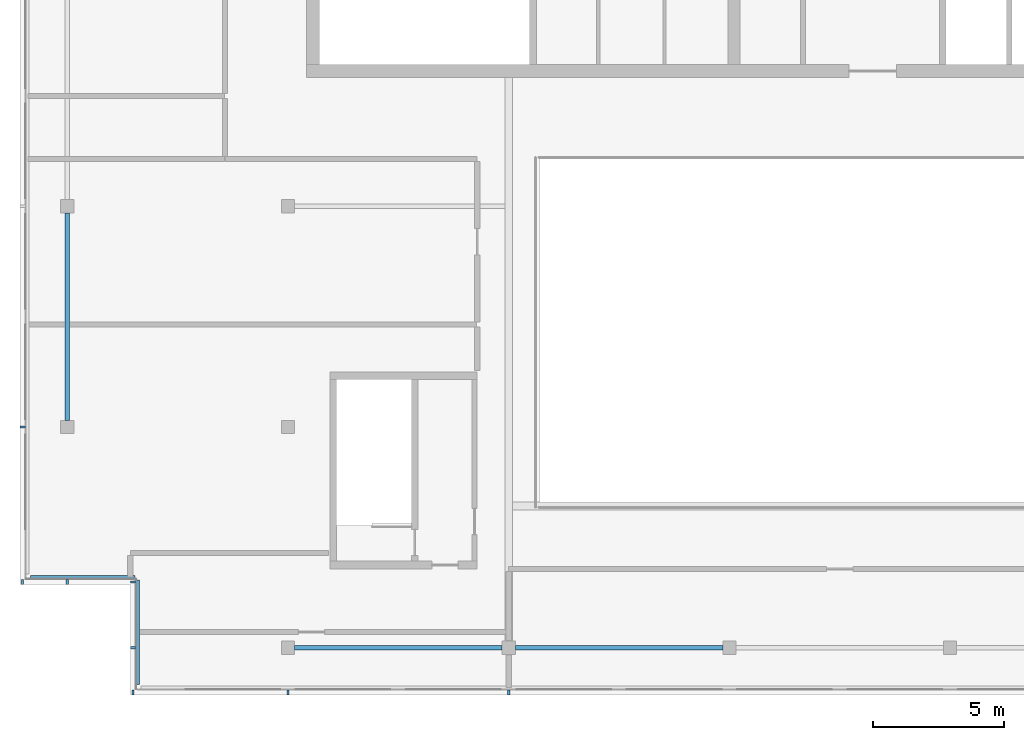
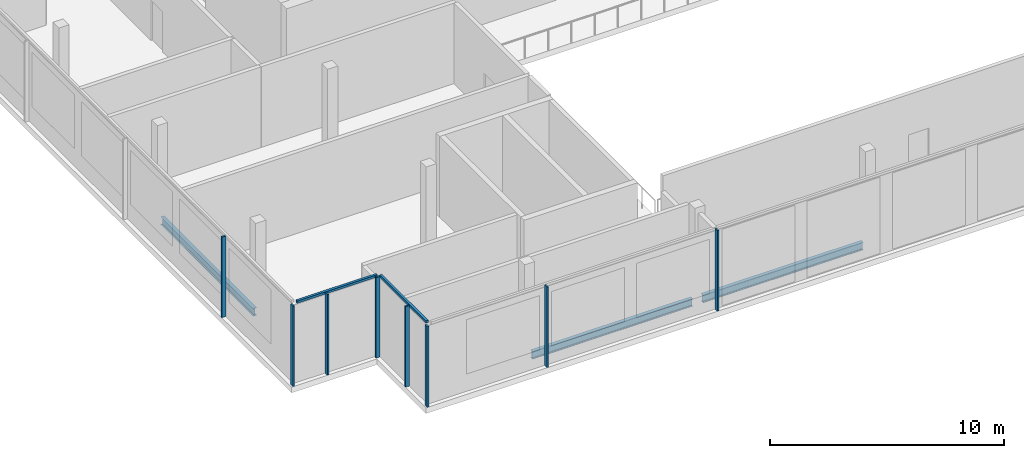
# One storey, part 2 of 14: 10 members, 3 beams, 4 elements without a shape of their own.
"""IFC4 building model written with IfcOpenShell, lengths in metres."""

from ifc_helpers import new_model, si_unit, direction, frame, origin, origin_2d, place, context, subcontext, project, spatial, rectangle, i_section, extrude, material, material_profile, profile_set, type_object, element, aggregate, save


model = new_model("IFC4")

# Units and contexts
model_context = context("Model", 3, precision=1e-05, world=origin(), true_north=direction((0.0, 1.0)))
body_context = subcontext(model_context, "Body", "Model", "MODEL_VIEW")
ifc_project = project(units=[si_unit("LENGTHUNIT", "METRE"), si_unit("AREAUNIT", "SQUARE_METRE"), si_unit("VOLUMEUNIT", "CUBIC_METRE"), si_unit("PLANEANGLEUNIT", "RADIAN"), si_unit("MASSUNIT", "GRAM", prefix="KILO")], contexts=[model_context])

# Site, building, storey
site_placement = place(None, origin())
site = spatial("IfcSite", under=ifc_project, at=site_placement, CompositionType="ELEMENT")
building_placement = place(site_placement, origin())
building = spatial("IfcBuilding", under=site, at=building_placement, Name="Saffron Gate Tower", CompositionType="ELEMENT")
storey_placement = place(building_placement, frame((0.0, 0.0, 310.35009765625)))
storey = spatial("IfcBuildingStorey", under=building, at=storey_placement, Name="L76", CompositionType="ELEMENT", Elevation=310.35009765625)

# Beams
ifc_material_1 = material(Name="Structural steel S355", Category="steel")
ifc_material_profile_1 = material_profile(ifc_material_1, i_section(OverallWidth=0.179931640625, OverallDepth=0.39990234375, WebThickness=0.008544921875, FlangeThickness=0.013427734375, FilletRadius=0.02099609375, at=origin_2d()))
ifc_profile_set_1 = profile_set([ifc_material_profile_1], Name="Structural steel S355")
beam_type = type_object("IfcBeamType", Name="B5 IPE 400", PredefinedType="SPANDREL", material=ifc_profile_set_1)
for number, where, z_axis, x_axis, name in (
    (1, (58.199951171875, 48.85009765625, -0.5), (0.0, 1.0, 0.0), (-1.0, 0.0, 0.0), "B5 SPANDREL BEAM"),
    (2, (66.85009765625, 40.199951171875, -0.5), (1.0, 0.0, 0.0), (0.0, 1.0, 0.0), "B5 SPANDREL BEAM"),
    (3, (75.25, 40.199951171875, -0.5), (1.0, 0.0, 0.0), (0.0, 1.0, 0.0), "B5 SPANDREL BEAM"),
):
    element("IfcBeam", number, at=place(storey_placement, frame(where, z_axis=z_axis, x_axis=x_axis)), inside=storey, type_object=beam_type, Name=name, PredefinedType="SPANDREL", context=body_context, shape_type="SweptSolid", body=[
        extrude(i_section(OverallWidth=0.179931640625, OverallDepth=0.39990234375, WebThickness=0.008544921875, FlangeThickness=0.013427734375, FilletRadius=0.02099609375, at=origin_2d()), origin(), (0.0, 0.0, 1.0), 7.89990234375),
    ])

# Curtain wall, member
ifc_material_2 = material(Name="Aluminium, bronze anodised", Category="aluminium")
curtain_wall_type = type_object("IfcCurtainWallType", Name="CWS6 curtain wall tall storeys", PredefinedType="NOTDEFINED", material=ifc_material_2)
curtain_wall_1_placement = place(storey_placement, origin())
curtain_wall_1 = element("IfcCurtainWall", 4, at=curtain_wall_1_placement, inside=storey, type_object=curtain_wall_type, Name="CWS6 run 11", PredefinedType="NOTDEFINED")
ifc_material_profile_2 = material_profile(ifc_material_2, rectangle(XDim=0.1201171875, YDim=0.1201171875, at=origin_2d()))
ifc_profile_set_2 = profile_set([ifc_material_profile_2], Name="Aluminium, bronze anodised")
member_type_1 = type_object("IfcMemberType", Name="CWS6 head transom", PredefinedType="USERDEFINED", material=ifc_profile_set_2)
member_1_placement = place(storey_placement, frame((56.80810546875, 42.887939453125, 4.139892578125), z_axis=(1.0, 0.0, 0.0), x_axis=(0.0, 1.0, 0.0)))
member_1 = element("IfcMember", 5, at=member_1_placement, type_object=member_type_1, Name="CWS6 head transom", ObjectType="TRANSOM", PredefinedType="USERDEFINED", context=body_context, shape_type="SweptSolid", body=[
    extrude(rectangle(XDim=0.1201171875, YDim=0.1201171875, at=origin_2d()), origin(), (0.0, 0.0, 1.0), 3.9599609375),
])

curtain_wall_2_placement = place(storey_placement, origin())
curtain_wall_2 = element("IfcCurtainWall", 6, at=curtain_wall_2_placement, inside=storey, type_object=curtain_wall_type, Name="CWS6 run 12", PredefinedType="NOTDEFINED")
member_2_placement = place(storey_placement, frame((60.887939453125, 42.76806640625, 4.139892578125), z_axis=(0.0, -1.0, 0.0), x_axis=(1.0, 0.0, 0.0)))
member_2 = element("IfcMember", 7, at=member_2_placement, type_object=member_type_1, Name="CWS6 head transom", ObjectType="TRANSOM", PredefinedType="USERDEFINED", context=body_context, shape_type="SweptSolid", body=[
    extrude(rectangle(XDim=0.1201171875, YDim=0.1201171875, at=origin_2d()), origin(), (0.0, 0.0, 1.0), 3.9599609375),
])

# Curtain wall, members
curtain_wall_3_placement = place(storey_placement, origin())
curtain_wall_3 = element("IfcCurtainWall", 8, at=curtain_wall_3_placement, inside=storey, type_object=curtain_wall_type, Name="CWS6 run 1", PredefinedType="NOTDEFINED")
ifc_material_profile_3 = material_profile(ifc_material_2, rectangle(XDim=0.199951171875, YDim=0.080078125, at=origin_2d()))
ifc_profile_set_3 = profile_set([ifc_material_profile_3], Name="Aluminium, bronze anodised")
member_type_2 = type_object("IfcMemberType", Name="CWS6 mullion 80x200", PredefinedType="MULLION", material=ifc_profile_set_3)
member_3_placement = place(storey_placement, frame((60.699951171875, 38.5, 0.0), z_axis=(0.0, 0.0, 1.0), x_axis=(0.0, 1.0, 0.0)))
member_3 = element("IfcMember", 9, at=member_3_placement, type_object=member_type_2, Name="CWS6 mullion 1", PredefinedType="MULLION", context=body_context, shape_type="SweptSolid", body=[
    extrude(rectangle(XDim=0.199951171875, YDim=0.080078125, at=origin_2d()), origin(), (0.0, 0.0, 1.0), 4.199951171875),
])
member_4_placement = place(storey_placement, frame((66.60009765625, 38.5, 0.0), z_axis=(0.0, 0.0, 1.0), x_axis=(0.0, 1.0, 0.0)))
member_4 = element("IfcMember", 10, at=member_4_placement, type_object=member_type_2, Name="CWS6 mullion 2", PredefinedType="MULLION", context=body_context, shape_type="SweptSolid", body=[
    extrude(rectangle(XDim=0.199951171875, YDim=0.080078125, at=origin_2d()), origin(), (0.0, 0.0, 1.0), 4.199951171875),
])
member_5_placement = place(storey_placement, frame((75.0, 38.5, 0.0), z_axis=(0.0, 0.0, 1.0), x_axis=(0.0, 1.0, 0.0)))
member_5 = element("IfcMember", 11, at=member_5_placement, type_object=member_type_2, Name="CWS6 mullion 3", PredefinedType="MULLION", context=body_context, shape_type="SweptSolid", body=[
    extrude(rectangle(XDim=0.199951171875, YDim=0.080078125, at=origin_2d()), origin(), (0.0, 0.0, 1.0), 4.199951171875),
])
aggregate(curtain_wall_3, [member_3, member_4, member_5])

# Curtain wall, member
curtain_wall_4_placement = place(storey_placement, origin())
curtain_wall_4 = element("IfcCurtainWall", 12, at=curtain_wall_4_placement, inside=storey, type_object=curtain_wall_type, Name="CWS6 run 10", PredefinedType="NOTDEFINED")
member_6_placement = place(storey_placement, frame((56.5, 48.60009765625, 0.0), z_axis=(0.0, 0.0, 1.0), x_axis=(1.0, 0.0, 0.0)))
member_6 = element("IfcMember", 13, at=member_6_placement, type_object=member_type_2, Name="CWS6 mullion 4", PredefinedType="MULLION", context=body_context, shape_type="SweptSolid", body=[
    extrude(rectangle(XDim=0.199951171875, YDim=0.080078125, at=origin_2d()), origin(), (0.0, 0.0, 1.0), 4.199951171875),
])
aggregate(curtain_wall_4, [member_6])

# Member
member_7_placement = place(storey_placement, frame((56.5, 42.699951171875, 0.0), z_axis=(0.0, 0.0, 1.0), x_axis=(0.0, 1.0, 0.0)))
member_7 = element("IfcMember", 14, at=member_7_placement, type_object=member_type_2, Name="CWS6 mullion 1", PredefinedType="MULLION", context=body_context, shape_type="SweptSolid", body=[
    extrude(rectangle(XDim=0.199951171875, YDim=0.080078125, at=origin_2d()), origin(), (0.0, 0.0, 1.0), 4.199951171875),
])

member_8_placement = place(storey_placement, frame((58.199951171875, 42.699951171875, 0.0), z_axis=(0.0, 0.0, 1.0), x_axis=(0.0, 1.0, 0.0)))
member_8 = element("IfcMember", 15, at=member_8_placement, type_object=member_type_2, Name="CWS6 mullion 2", PredefinedType="MULLION", context=body_context, shape_type="SweptSolid", body=[
    extrude(rectangle(XDim=0.199951171875, YDim=0.080078125, at=origin_2d()), origin(), (0.0, 0.0, 1.0), 4.199951171875),
])

aggregate(curtain_wall_1, [member_7, member_8, member_1])

member_9_placement = place(storey_placement, frame((60.699951171875, 42.699951171875, 0.0), z_axis=(0.0, 0.0, 1.0), x_axis=(1.0, 0.0, 0.0)))
member_9 = element("IfcMember", 16, at=member_9_placement, type_object=member_type_2, Name="CWS6 mullion 1", PredefinedType="MULLION", context=body_context, shape_type="SweptSolid", body=[
    extrude(rectangle(XDim=0.199951171875, YDim=0.080078125, at=origin_2d()), origin(), (0.0, 0.0, 1.0), 4.199951171875),
])

member_10_placement = place(storey_placement, frame((60.699951171875, 40.199951171875, 0.0), z_axis=(0.0, 0.0, 1.0), x_axis=(1.0, 0.0, 0.0)))
member_10 = element("IfcMember", 17, at=member_10_placement, type_object=member_type_2, Name="CWS6 mullion 2", PredefinedType="MULLION", context=body_context, shape_type="SweptSolid", body=[
    extrude(rectangle(XDim=0.199951171875, YDim=0.080078125, at=origin_2d()), origin(), (0.0, 0.0, 1.0), 4.199951171875),
])

aggregate(curtain_wall_2, [member_9, member_10, member_2])

save(model, "model.ifc")
